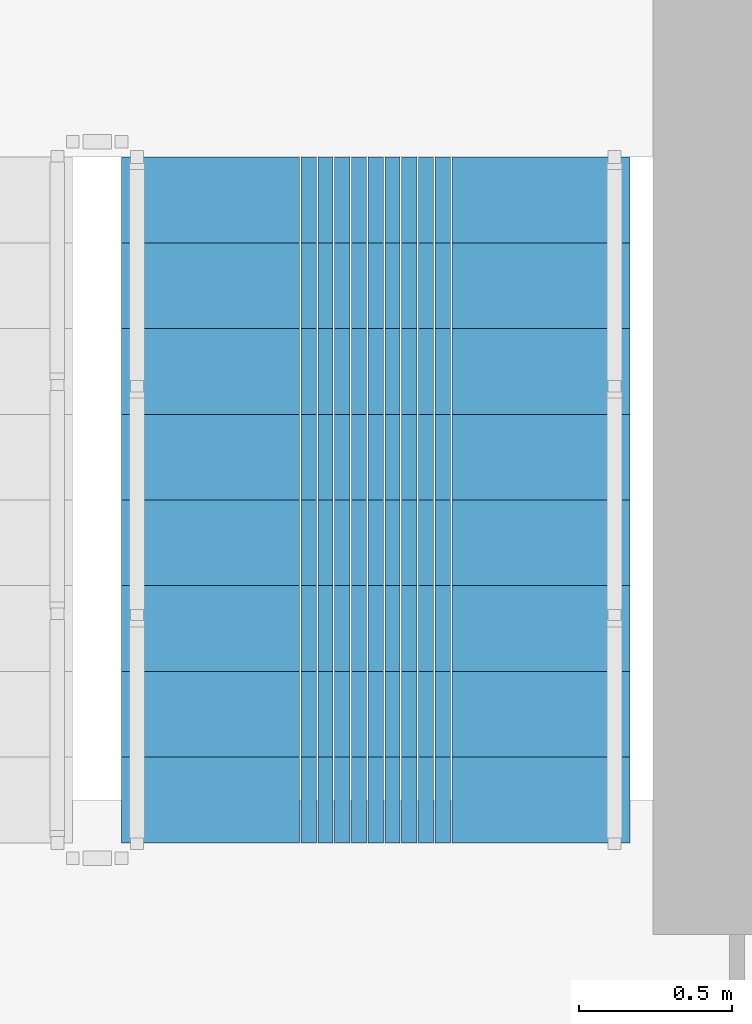
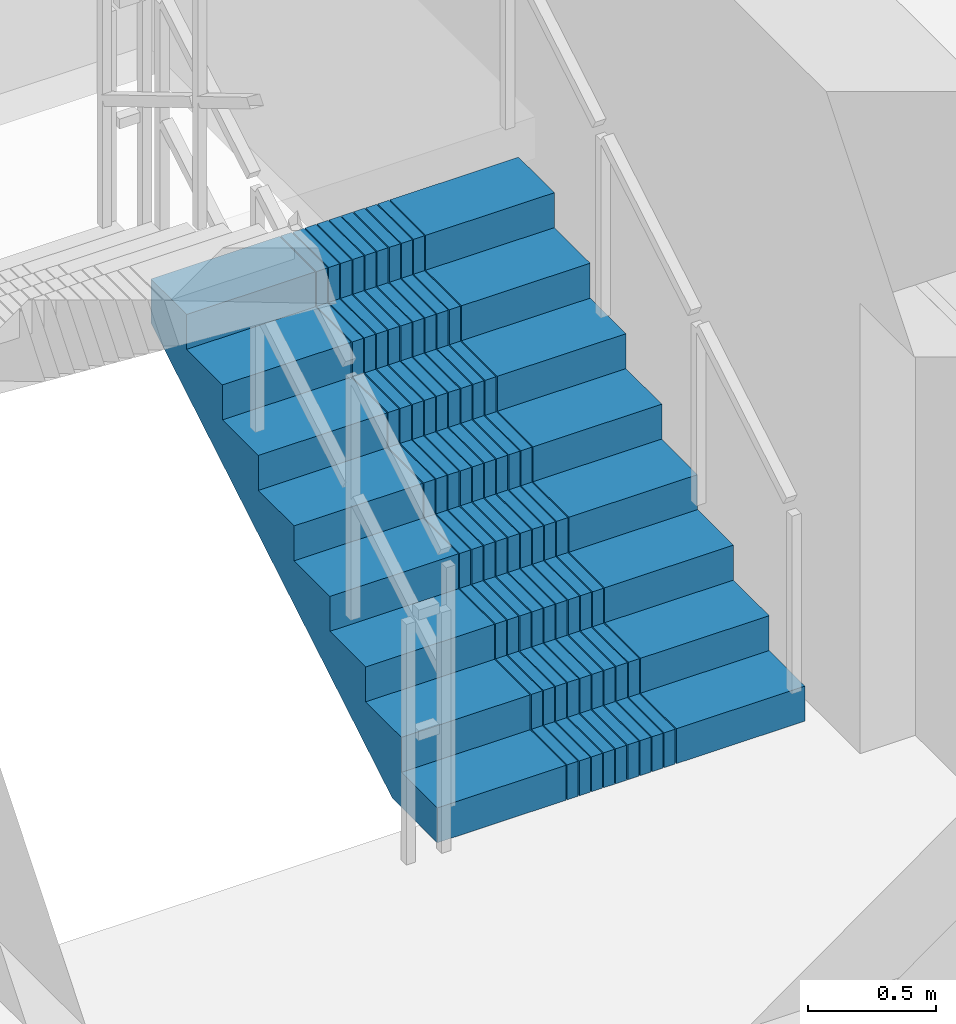
# One storey, part 10 of 14: 1 stair flight, 1 element without a shape of its own.
"""IFC4 building model written with IfcOpenShell, lengths in metres."""

from ifc_helpers import new_model, si_unit, direction, frame, origin, place, context, subcontext, project, spatial, polyline, outline, extrude, material, type_object, element, aggregate, save


model = new_model("IFC4")

# Units and contexts
model_context = context("Model", 3, precision=1e-05, world=origin(), true_north=direction((0.0, 1.0)))
body_context = subcontext(model_context, "Body", "Model", "MODEL_VIEW")
ifc_project = project(units=[si_unit("LENGTHUNIT", "METRE"), si_unit("AREAUNIT", "SQUARE_METRE"), si_unit("VOLUMEUNIT", "CUBIC_METRE"), si_unit("PLANEANGLEUNIT", "RADIAN"), si_unit("MASSUNIT", "GRAM", prefix="KILO")], contexts=[model_context])

# Site, building, storey
site_placement = place(None, origin())
site = spatial("IfcSite", under=ifc_project, at=site_placement, CompositionType="ELEMENT")
building_placement = place(site_placement, origin())
building = spatial("IfcBuilding", under=site, at=building_placement, Name="Saelheon Loggia Tower", CompositionType="ELEMENT")
storey_placement = place(building_placement, frame((0.0, 0.0, 113.85009765625)))
storey = spatial("IfcBuildingStorey", under=building, at=storey_placement, Name="L36", CompositionType="ELEMENT", Elevation=113.85009765625)

# Stair, stair flight
ifc_material = material(Name="Concrete C40/50", Category="concrete")
stair_type = type_object("IfcStairType", Name="Stair_Escape_Core", PredefinedType="HALF_TURN_STAIR", material=ifc_material)
stair_placement = place(storey_placement, origin())
stair = element("IfcStair", 1, at=stair_placement, inside=storey, type_object=stair_type, Name="L36 Special Escape Stair ST2", PredefinedType="HALF_TURN_STAIR")
stair_flight_type = type_object("IfcStairFlightType", Name="StairFlight_Tower_1660", PredefinedType="STRAIGHT", material=ifc_material)
stair_flight_placement = place(storey_placement, frame((43.320068359375, 30.449951171875, 0.0), z_axis=(0.0, 0.0, 1.0), x_axis=(0.0, 1.0, 0.0)))
stair_flight = element("IfcStairFlight", 2, at=stair_flight_placement, type_object=stair_flight_type, Name="ST2 flight 1", NumberOfRisers=9, NumberOfTreads=8, PredefinedType="STRAIGHT", RiserHeight=0.166666667, TreadLength=0.28, context=body_context, shape_type="SweptSolid", body=[
    extrude(outline(polyline([(0.0, 0.0), (0.0, 0.166748046875), (0.280029296875, 0.166748046875), (0.280029296875, 0.333251953125), (0.56005859375, 0.333251953125), (0.56005859375, 0.5), (0.840087890625, 0.5), (0.840087890625, 0.666748046875), (1.1201171875, 0.666748046875), (1.1201171875, 0.833251953125), (1.39990234375, 0.833251953125), (1.39990234375, 1.0), (1.679931640625, 1.0), (1.679931640625, 1.166748046875), (1.9599609375, 1.166748046875), (1.9599609375, 1.333251953125), (2.239990234375, 1.333251953125), (2.239990234375, 1.5), (2.239990234375, 1.1240234375), (0.351806640625, 0.0), (0.0, 0.0)])), frame((0.0, -0.2490234375, 0.0), z_axis=(0.0, -1.0, 0.0), x_axis=(1.0, 0.0, 0.0)), (0.0, 0.0, 1.0), 0.5810546875),
    extrude(outline(polyline([(0.0, 0.0), (0.0, 0.166748046875), (0.280029296875, 0.166748046875), (0.280029296875, 0.333251953125), (0.56005859375, 0.333251953125), (0.56005859375, 0.5), (0.840087890625, 0.5), (0.840087890625, 0.666748046875), (1.1201171875, 0.666748046875), (1.1201171875, 0.833251953125), (1.39990234375, 0.833251953125), (1.39990234375, 1.0), (1.679931640625, 1.0), (1.679931640625, 1.166748046875), (1.9599609375, 1.166748046875), (1.9599609375, 1.333251953125), (2.239990234375, 1.333251953125), (2.239990234375, 1.5), (2.239990234375, 1.1240234375), (0.351806640625, 0.0), (0.0, 0.0)])), frame((0.0, -0.194091796875, 0.0), z_axis=(0.0, -1.0, 0.0), x_axis=(1.0, 0.0, 0.0)), (0.0, 0.0, 1.0), 0.0498046875),
    extrude(outline(polyline([(0.0, 0.0), (0.0, 0.166748046875), (0.280029296875, 0.166748046875), (0.280029296875, 0.333251953125), (0.56005859375, 0.333251953125), (0.56005859375, 0.5), (0.840087890625, 0.5), (0.840087890625, 0.666748046875), (1.1201171875, 0.666748046875), (1.1201171875, 0.833251953125), (1.39990234375, 0.833251953125), (1.39990234375, 1.0), (1.679931640625, 1.0), (1.679931640625, 1.166748046875), (1.9599609375, 1.166748046875), (1.9599609375, 1.333251953125), (2.239990234375, 1.333251953125), (2.239990234375, 1.5), (2.239990234375, 1.1240234375), (0.351806640625, 0.0), (0.0, 0.0)])), frame((0.0, -0.139404296875, 0.0), z_axis=(0.0, -1.0, 0.0), x_axis=(1.0, 0.0, 0.0)), (0.0, 0.0, 1.0), 0.0498046875),
    extrude(outline(polyline([(0.0, 0.0), (0.0, 0.166748046875), (0.280029296875, 0.166748046875), (0.280029296875, 0.333251953125), (0.56005859375, 0.333251953125), (0.56005859375, 0.5), (0.840087890625, 0.5), (0.840087890625, 0.666748046875), (1.1201171875, 0.666748046875), (1.1201171875, 0.833251953125), (1.39990234375, 0.833251953125), (1.39990234375, 1.0), (1.679931640625, 1.0), (1.679931640625, 1.166748046875), (1.9599609375, 1.166748046875), (1.9599609375, 1.333251953125), (2.239990234375, 1.333251953125), (2.239990234375, 1.5), (2.239990234375, 1.1240234375), (0.351806640625, 0.0), (0.0, 0.0)])), frame((0.0, -0.084716796875, 0.0), z_axis=(0.0, -1.0, 0.0), x_axis=(1.0, 0.0, 0.0)), (0.0, 0.0, 1.0), 0.0498046875),
    extrude(outline(polyline([(0.0, 0.0), (0.0, 0.166748046875), (0.280029296875, 0.166748046875), (0.280029296875, 0.333251953125), (0.56005859375, 0.333251953125), (0.56005859375, 0.5), (0.840087890625, 0.5), (0.840087890625, 0.666748046875), (1.1201171875, 0.666748046875), (1.1201171875, 0.833251953125), (1.39990234375, 0.833251953125), (1.39990234375, 1.0), (1.679931640625, 1.0), (1.679931640625, 1.166748046875), (1.9599609375, 1.166748046875), (1.9599609375, 1.333251953125), (2.239990234375, 1.333251953125), (2.239990234375, 1.5), (2.239990234375, 1.1240234375), (0.351806640625, 0.0), (0.0, 0.0)])), frame((0.0, -0.02978515625, 0.0), z_axis=(0.0, -1.0, 0.0), x_axis=(1.0, 0.0, 0.0)), (0.0, 0.0, 1.0), 0.0498046875),
    extrude(outline(polyline([(0.0, 0.0), (0.0, 0.166748046875), (0.280029296875, 0.166748046875), (0.280029296875, 0.333251953125), (0.56005859375, 0.333251953125), (0.56005859375, 0.5), (0.840087890625, 0.5), (0.840087890625, 0.666748046875), (1.1201171875, 0.666748046875), (1.1201171875, 0.833251953125), (1.39990234375, 0.833251953125), (1.39990234375, 1.0), (1.679931640625, 1.0), (1.679931640625, 1.166748046875), (1.9599609375, 1.166748046875), (1.9599609375, 1.333251953125), (2.239990234375, 1.333251953125), (2.239990234375, 1.5), (2.239990234375, 1.1240234375), (0.351806640625, 0.0), (0.0, 0.0)])), frame((0.0, 0.02490234375, 0.0), z_axis=(0.0, -1.0, 0.0), x_axis=(1.0, 0.0, 0.0)), (0.0, 0.0, 1.0), 0.0498046875),
    extrude(outline(polyline([(0.0, 0.0), (0.0, 0.166748046875), (0.280029296875, 0.166748046875), (0.280029296875, 0.333251953125), (0.56005859375, 0.333251953125), (0.56005859375, 0.5), (0.840087890625, 0.5), (0.840087890625, 0.666748046875), (1.1201171875, 0.666748046875), (1.1201171875, 0.833251953125), (1.39990234375, 0.833251953125), (1.39990234375, 1.0), (1.679931640625, 1.0), (1.679931640625, 1.166748046875), (1.9599609375, 1.166748046875), (1.9599609375, 1.333251953125), (2.239990234375, 1.333251953125), (2.239990234375, 1.5), (2.239990234375, 1.1240234375), (0.351806640625, 0.0), (0.0, 0.0)])), frame((0.0, 0.07958984375, 0.0), z_axis=(0.0, -1.0, 0.0), x_axis=(1.0, 0.0, 0.0)), (0.0, 0.0, 1.0), 0.0498046875),
    extrude(outline(polyline([(0.0, 0.0), (0.0, 0.166748046875), (0.280029296875, 0.166748046875), (0.280029296875, 0.333251953125), (0.56005859375, 0.333251953125), (0.56005859375, 0.5), (0.840087890625, 0.5), (0.840087890625, 0.666748046875), (1.1201171875, 0.666748046875), (1.1201171875, 0.833251953125), (1.39990234375, 0.833251953125), (1.39990234375, 1.0), (1.679931640625, 1.0), (1.679931640625, 1.166748046875), (1.9599609375, 1.166748046875), (1.9599609375, 1.333251953125), (2.239990234375, 1.333251953125), (2.239990234375, 1.5), (2.239990234375, 1.1240234375), (0.351806640625, 0.0), (0.0, 0.0)])), frame((0.0, 0.134521484375, 0.0), z_axis=(0.0, -1.0, 0.0), x_axis=(1.0, 0.0, 0.0)), (0.0, 0.0, 1.0), 0.0498046875),
    extrude(outline(polyline([(0.0, 0.0), (0.0, 0.166748046875), (0.280029296875, 0.166748046875), (0.280029296875, 0.333251953125), (0.56005859375, 0.333251953125), (0.56005859375, 0.5), (0.840087890625, 0.5), (0.840087890625, 0.666748046875), (1.1201171875, 0.666748046875), (1.1201171875, 0.833251953125), (1.39990234375, 0.833251953125), (1.39990234375, 1.0), (1.679931640625, 1.0), (1.679931640625, 1.166748046875), (1.9599609375, 1.166748046875), (1.9599609375, 1.333251953125), (2.239990234375, 1.333251953125), (2.239990234375, 1.5), (2.239990234375, 1.1240234375), (0.351806640625, 0.0), (0.0, 0.0)])), frame((0.0, 0.189208984375, 0.0), z_axis=(0.0, -1.0, 0.0), x_axis=(1.0, 0.0, 0.0)), (0.0, 0.0, 1.0), 0.0498046875),
    extrude(outline(polyline([(0.0, 0.0), (0.0, 0.166748046875), (0.280029296875, 0.166748046875), (0.280029296875, 0.333251953125), (0.56005859375, 0.333251953125), (0.56005859375, 0.5), (0.840087890625, 0.5), (0.840087890625, 0.666748046875), (1.1201171875, 0.666748046875), (1.1201171875, 0.833251953125), (1.39990234375, 0.833251953125), (1.39990234375, 1.0), (1.679931640625, 1.0), (1.679931640625, 1.166748046875), (1.9599609375, 1.166748046875), (1.9599609375, 1.333251953125), (2.239990234375, 1.333251953125), (2.239990234375, 1.5), (2.239990234375, 1.1240234375), (0.351806640625, 0.0), (0.0, 0.0)])), frame((0.0, 0.243896484375, 0.0), z_axis=(0.0, -1.0, 0.0), x_axis=(1.0, 0.0, 0.0)), (0.0, 0.0, 1.0), 0.0498046875),
    extrude(outline(polyline([(0.0, 0.0), (0.0, 0.166748046875), (0.280029296875, 0.166748046875), (0.280029296875, 0.333251953125), (0.56005859375, 0.333251953125), (0.56005859375, 0.5), (0.840087890625, 0.5), (0.840087890625, 0.666748046875), (1.1201171875, 0.666748046875), (1.1201171875, 0.833251953125), (1.39990234375, 0.833251953125), (1.39990234375, 1.0), (1.679931640625, 1.0), (1.679931640625, 1.166748046875), (1.9599609375, 1.166748046875), (1.9599609375, 1.333251953125), (2.239990234375, 1.333251953125), (2.239990234375, 1.5), (2.239990234375, 1.1240234375), (0.351806640625, 0.0), (0.0, 0.0)])), frame((0.0, 0.830078125, 0.0), z_axis=(0.0, -1.0, 0.0), x_axis=(1.0, 0.0, 0.0)), (0.0, 0.0, 1.0), 0.5810546875),
])
aggregate(stair, [stair_flight])

save(model, "model.ifc")
